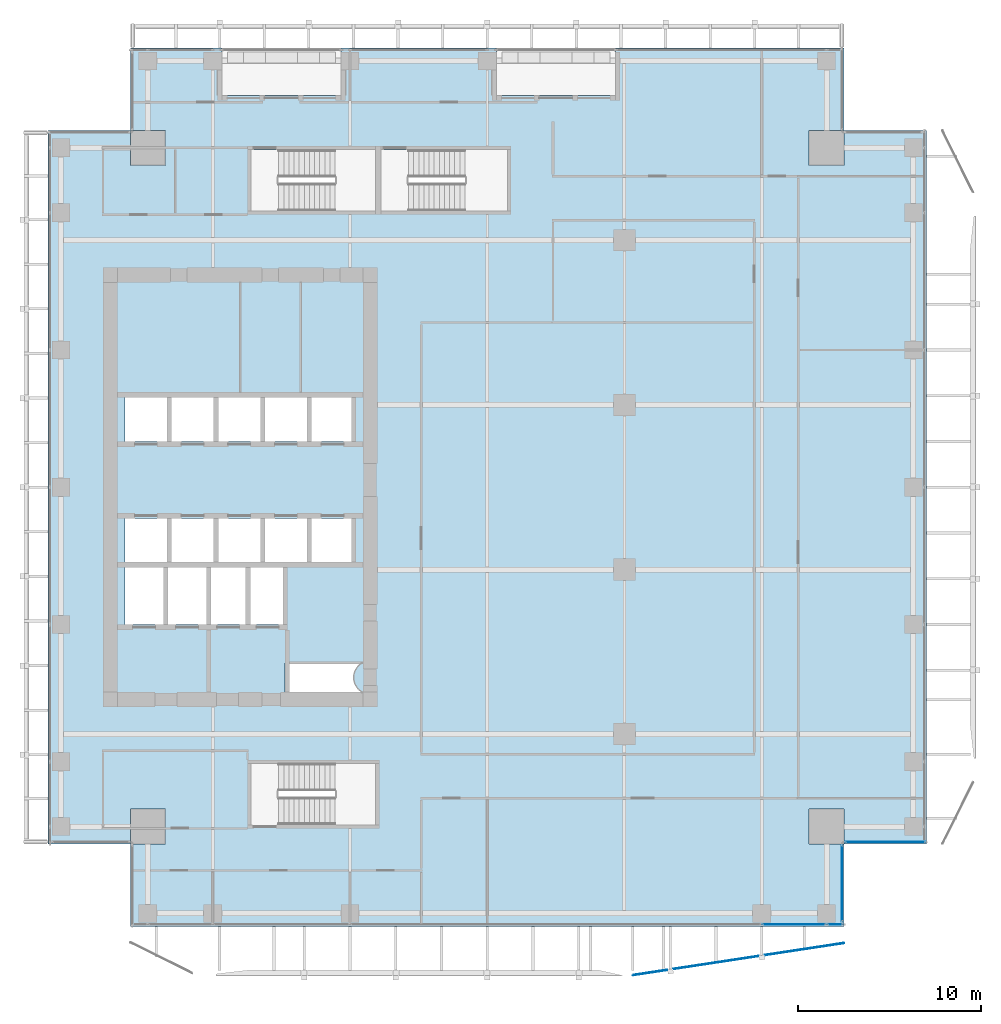
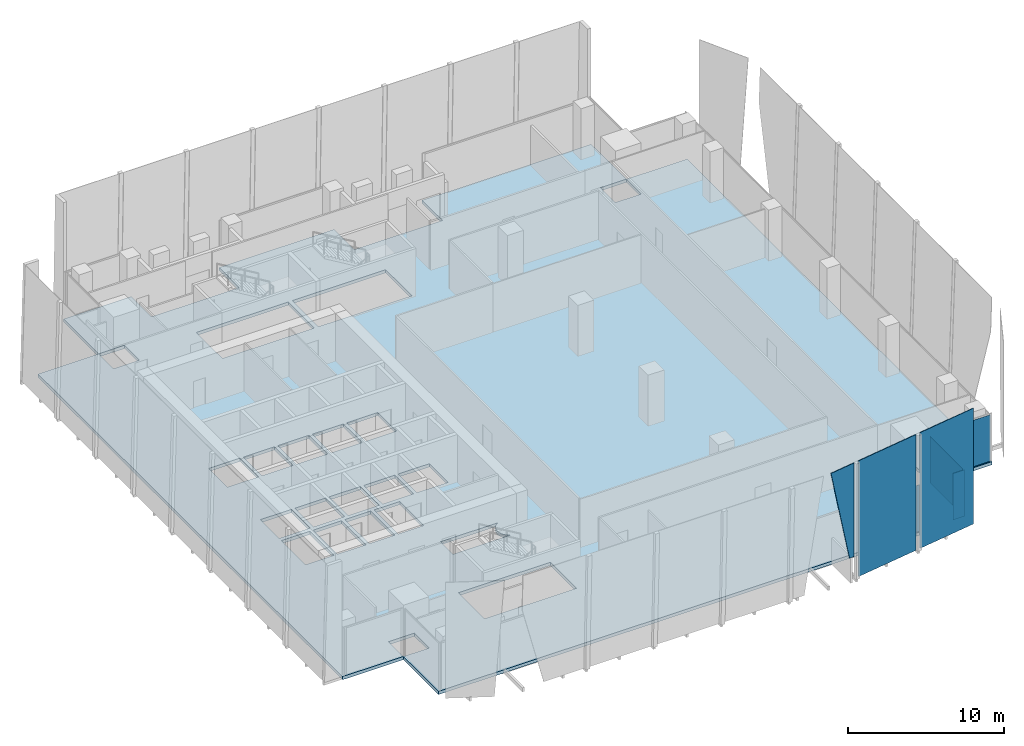
# One storey, part 24 of 35: 7 plates, 1 slab, 3 elements without a shape of their own.
"""IFC4 building model written with IfcOpenShell, lengths in metres."""

from ifc_helpers import new_model, si_unit, direction, frame, origin, origin_2d, place, context, subcontext, project, spatial, polyline, rectangle, outline, extrude, source, transform, mapped, material, layer, layer_set, type_object, element, aggregate, save


model = new_model("IFC4")

# Units and contexts
model_context = context("Model", 3, precision=1e-05, world=origin(), true_north=direction((0.0, 1.0)))
body_context = subcontext(model_context, "Body", "Model", "MODEL_VIEW")
ifc_project = project(units=[si_unit("LENGTHUNIT", "METRE"), si_unit("AREAUNIT", "SQUARE_METRE"), si_unit("VOLUMEUNIT", "CUBIC_METRE"), si_unit("PLANEANGLEUNIT", "RADIAN"), si_unit("MASSUNIT", "GRAM", prefix="KILO")], contexts=[model_context])

# Site, building, storey
site_placement = place(None, origin())
site = spatial("IfcSite", under=ifc_project, at=site_placement, CompositionType="ELEMENT")
building_placement = place(site_placement, origin())
building = spatial("IfcBuilding", under=site, at=building_placement, Name="Khomas Fold Tower", CompositionType="ELEMENT")
storey_placement = place(building_placement, frame((0.0, 0.0, 212.699951171875)))
storey = spatial("IfcBuildingStorey", under=building, at=storey_placement, Name="L47", CompositionType="ELEMENT", Elevation=212.699951171875)

# Plates
ifc_material_1 = material(Name="Clear laminated glass", Category="glass")
ifc_layer_1 = layer(ifc_material_1, 0.0400390625)
ifc_layer_set_1 = layer_set([ifc_layer_1], Name="Clear laminated glass")
plate_type_1 = type_object("IfcPlateType", Name="SK-Clear laminated glass leaf", PredefinedType="SHEET", material=ifc_layer_set_1)
plate_1_placement = place(storey_placement, frame((34.955078125, 0.34521484375, 9.050048828125), z_axis=(-0.150200018528, 0.988655629821, 7.524086e-06), x_axis=(0.988655629849, 0.150200018532, -2.18e-10)))
element("IfcPlate", 1, at=plate_1_placement, inside=storey, type_object=plate_type_1, Name="OUTER SKIN glass L47 SG104-11", PredefinedType="SHEET", context=body_context, shape_type="SweptSolid", body=[
    extrude(outline(polyline([(0.0, 0.0), (1.8965231100758104, 0.0), (1.8965231116665568, 7.300048827918366), (1.5206856915220903, 7.300048828413534), (0.0, 0.0)])), origin(), (0.0, 0.0, -1.0), 0.0400390625),
])
plate_2_placement = place(storey_placement, frame((37.169921875, 0.681884765625, 0.0), z_axis=(-0.15025491324, 0.988647288494, 0.0), x_axis=(0.0, 0.0, 1.0)))
element("IfcPlate", 2, at=plate_2_placement, inside=storey, type_object=plate_type_1, Name="OUTER SKIN glass L47 SG105-13", PredefinedType="SHEET", context=body_context, shape_type="SweptSolid", body=[
    extrude(outline(polyline([(0.0, 0.0), (9.050048828125, 0.0), (9.050048828125, 4.713669176291378), (0.0, 4.713669176291378), (0.0, 0.0)])), origin(), (0.0, 0.0, -1.0), 0.0400390625),
])
plate_3_placement = place(storey_placement, frame((42.169921875, 1.44189453125, 0.0), z_axis=(-0.150280921969, 0.98864333533, 0.0), x_axis=(0.0, 0.0, 1.0)))
element("IfcPlate", 3, at=plate_3_placement, inside=storey, type_object=plate_type_1, Name="OUTER SKIN glass L47 SG106-15", PredefinedType="SHEET", context=body_context, shape_type="SweptSolid", body=[
    extrude(outline(polyline([(0.0, 0.0), (9.050048828125, 0.0), (9.050048828125, 4.3798182522067375), (0.0, 4.3798182522067375), (0.0, 0.0)])), origin(), (0.0, 0.0, -1.0), 0.0400390625),
])

# Slab
ifc_material_2 = material(Name="Concrete C40/50", Category="concrete")
ifc_layer_2 = layer(ifc_material_2, 0.25)
ifc_layer_set_2 = layer_set([ifc_layer_2], Name="Concrete C40/50")
slab_type = type_object("IfcSlabType", Name="RC floor slab 250", PredefinedType="FLOOR", material=ifc_layer_set_2)
shared_shape_1 = source(origin(), body_context, "Body", "SweptSolid", [
    extrude(outline(polyline([(3.0, 7.5), (7.4951171875, 7.5), (7.4951171875, 9.405029296875), (9.405029296875, 9.405029296875), (9.405029296875, 7.4951171875), (7.5, 7.4951171875), (7.5, 3.0), (46.5, 3.0), (46.5, 7.4951171875), (44.594970703125, 7.4951171875), (44.594970703125, 9.405029296875), (46.5048828125, 9.405029296875), (46.5048828125, 7.5), (51.0, 7.5), (51.0, 46.5), (46.5048828125, 46.5), (46.5048828125, 44.594970703125), (44.594970703125, 44.594970703125), (44.594970703125, 46.5048828125), (46.5, 46.5048828125), (46.5, 51.0), (34.0, 51.0), (34.0, 48.39990234375), (27.5, 48.39990234375), (27.5, 51.0), (19.0, 51.0), (19.0, 48.39990234375), (12.5, 48.39990234375), (12.5, 51.0), (7.5, 51.0), (7.5, 46.5048828125), (9.405029296875, 46.5048828125), (9.405029296875, 44.594970703125), (7.4951171875, 44.594970703125), (7.4951171875, 46.5), (3.0, 46.5), (3.0, 7.5)]), holes=[polyline([(7.199951171875, 19.5), (7.199951171875, 22.60009765625), (9.300048828125, 22.60009765625), (9.300048828125, 19.5), (7.199951171875, 19.5)]), polyline([(7.199951171875, 22.89990234375), (7.199951171875, 25.300048828125), (9.5, 25.300048828125), (9.5, 22.89990234375), (7.199951171875, 22.89990234375)]), polyline([(7.199951171875, 29.5), (7.199951171875, 31.89990234375), (9.5, 31.89990234375), (9.5, 29.5), (7.199951171875, 29.5)]), polyline([(9.550048828125, 19.5), (9.550048828125, 22.60009765625), (11.64990234375, 22.60009765625), (11.64990234375, 19.5), (9.550048828125, 19.5)]), polyline([(9.75, 22.89990234375), (9.75, 25.300048828125), (12.050048828125, 25.300048828125), (12.050048828125, 22.89990234375), (9.75, 22.89990234375)]), polyline([(9.75, 29.5), (9.75, 31.89990234375), (12.050048828125, 31.89990234375), (12.050048828125, 29.5), (9.75, 29.5)]), polyline([(11.89990234375, 19.5), (11.89990234375, 22.60009765625), (13.800048828125, 22.60009765625), (13.800048828125, 19.5), (11.89990234375, 19.5)]), polyline([(12.300048828125, 22.89990234375), (12.300048828125, 25.300048828125), (14.60009765625, 25.300048828125), (14.60009765625, 22.89990234375), (12.300048828125, 22.89990234375)]), polyline([(12.300048828125, 29.5), (12.300048828125, 31.89990234375), (14.60009765625, 31.89990234375), (14.60009765625, 29.5), (12.300048828125, 29.5)]), polyline([(14.050048828125, 19.5), (14.050048828125, 22.60009765625), (15.949951171875, 22.60009765625), (15.949951171875, 19.5), (14.050048828125, 19.5)]), polyline([(14.10009765625, 8.550048828125), (14.10009765625, 11.89990234375), (20.89990234375, 11.89990234375), (20.89990234375, 8.550048828125), (14.10009765625, 8.550048828125)]), polyline([(14.10009765625, 42.10009765625), (14.10009765625, 45.449951171875), (20.89990234375, 45.449951171875), (20.89990234375, 42.10009765625), (14.10009765625, 42.10009765625)]), polyline([(14.85009765625, 22.89990234375), (14.85009765625, 25.300048828125), (17.14990234375, 25.300048828125), (17.14990234375, 22.89990234375), (14.85009765625, 22.89990234375)]), polyline([(14.85009765625, 29.5), (14.85009765625, 31.89990234375), (17.14990234375, 31.89990234375), (17.14990234375, 29.5), (14.85009765625, 29.5)]), polyline([(15.949951171875, 15.800048828125), (15.949951171875, 17.39990234375), (20.18896484375, 17.39990234375), (20.17578125, 17.393798828125), (20.10009765625, 17.348388671875), (20.029052734375, 17.295654296875), (19.963623046875, 17.236328125), (19.904296875, 17.1708984375), (19.851806640625, 17.10009765625), (19.806396484375, 17.0244140625), (19.7685546875, 16.9443359375), (19.73876953125, 16.861328125), (19.71728515625, 16.775634765625), (19.704345703125, 16.688232421875), (19.699951171875, 16.60009765625), (19.704345703125, 16.51171875), (19.71728515625, 16.42431640625), (19.73876953125, 16.338623046875), (19.7685546875, 16.255615234375), (19.806396484375, 16.17578125), (19.851806640625, 16.10009765625), (19.904296875, 16.029052734375), (19.963623046875, 15.963623046875), (20.029052734375, 15.904296875), (20.10009765625, 15.851806640625), (20.17578125, 15.806396484375), (20.18896484375, 15.800048828125), (15.949951171875, 15.800048828125)]), polyline([(17.39990234375, 22.89990234375), (17.39990234375, 25.300048828125), (19.699951171875, 25.300048828125), (19.699951171875, 22.89990234375), (17.39990234375, 22.89990234375)]), polyline([(17.39990234375, 29.5), (17.39990234375, 31.89990234375), (19.699951171875, 31.89990234375), (19.699951171875, 29.5), (17.39990234375, 29.5)]), polyline([(21.199951171875, 42.10009765625), (21.199951171875, 45.449951171875), (28.10009765625, 45.449951171875), (28.10009765625, 42.10009765625), (21.199951171875, 42.10009765625)])]), origin(), (0.0, 0.0, 1.0), 0.25),
])
slab_placement = place(storey_placement, frame((0.0, 0.0, -0.25)))
element("IfcSlab", 4, at=slab_placement, inside=storey, type_object=slab_type, Name="S-L47", PredefinedType="FLOOR", context=body_context, shape_type="MappedRepresentation", body=[
    mapped(shared_shape_1, transform((0.0, 0.0, 0.0))),
])

# Curtain wall, plate
ifc_material_3 = material(Name="Aluminium framed double glazing", Category="aluminium")
curtain_wall_type = type_object("IfcCurtainWallType", Name="SK-Unitised clear-glass wall, office floors CW2", PredefinedType="NOTDEFINED", material=ifc_material_3)
curtain_wall_1_placement = place(storey_placement, origin())
curtain_wall_1 = element("IfcCurtainWall", 5, at=curtain_wall_1_placement, inside=storey, type_object=curtain_wall_type, Name="CW2 corner return L47 02", PredefinedType="NOTDEFINED")
ifc_material_4 = material(Name="Clear double glazed unit")
ifc_layer_3 = layer(ifc_material_4, 0.030029296875)
ifc_layer_set_3 = layer_set([ifc_layer_3], Name="Clear double glazed unit")
plate_type_2 = type_object("IfcPlateType", Name="SK-Unitised clear-glass wall, office floors glass panel CW2-P", PredefinedType="CURTAIN_PANEL", material=ifc_layer_set_3)
shared_shape_2 = source(origin(), body_context, "Body", "SweptSolid", [
    extrude(rectangle(XDim=4.3798828125, YDim=0.030029296875, at=origin_2d()), origin(), (0.0, 0.0, 1.0), 3.639892578125),
])
plate_4_placement = place(storey_placement, frame((48.75, 7.60009765625, 0.0), z_axis=(0.0, 0.0, 1.0), x_axis=(1.0, 0.0, 0.0)))
plate_4 = element("IfcPlate", 6, at=plate_4_placement, type_object=plate_type_2, Name="CW2 glass panel 1", PredefinedType="CURTAIN_PANEL", context=body_context, shape_type="MappedRepresentation", body=[
    mapped(shared_shape_2, transform((0.0, 0.0, 0.0))),
])
aggregate(curtain_wall_1, [plate_4])

curtain_wall_2_placement = place(storey_placement, origin())
curtain_wall_2 = element("IfcCurtainWall", 7, at=curtain_wall_2_placement, inside=storey, type_object=curtain_wall_type, Name="CW2 run L47 00-0", PredefinedType="NOTDEFINED")
shared_shape_3 = source(origin(), body_context, "Body", "SweptSolid", [
    extrude(rectangle(XDim=3.489990234375, YDim=0.030029296875, at=origin_2d()), origin(), (0.0, 0.0, 1.0), 3.639892578125),
])
plate_5_placement = place(storey_placement, frame((43.77490234375, 3.10009765625, 0.0), z_axis=(0.0, 0.0, 1.0), x_axis=(1.0, 0.0, 0.0)))
plate_5 = element("IfcPlate", 8, at=plate_5_placement, type_object=plate_type_2, Name="CW2 glass panel 5", PredefinedType="CURTAIN_PANEL", context=body_context, shape_type="MappedRepresentation", body=[
    mapped(shared_shape_3, transform((0.0, 0.0, 0.0))),
])

curtain_wall_3_placement = place(storey_placement, origin())
curtain_wall_3 = element("IfcCurtainWall", 9, at=curtain_wall_3_placement, inside=storey, type_object=curtain_wall_type, Name="CW2 corner return L47 01", PredefinedType="NOTDEFINED")
shared_shape_4 = source(origin(), body_context, "Body", "SweptSolid", [
    extrude(rectangle(XDim=4.179931640625, YDim=0.030029296875, at=origin_2d()), origin(), (0.0, 0.0, 1.0), 3.639892578125),
])
plate_6_placement = place(storey_placement, frame((46.39990234375, 5.35009765625, 0.0), z_axis=(0.0, 0.0, 1.0), x_axis=(0.0, 1.0, 0.0)))
plate_6 = element("IfcPlate", 10, at=plate_6_placement, type_object=plate_type_2, Name="CW2 glass panel 1", PredefinedType="CURTAIN_PANEL", context=body_context, shape_type="MappedRepresentation", body=[
    mapped(shared_shape_4, transform((0.0, 0.0, 0.0))),
])
aggregate(curtain_wall_3, [plate_6])

# Plate
shared_shape_5 = source(origin(), body_context, "Body", "SweptSolid", [
    extrude(rectangle(XDim=0.860107421875, YDim=0.030029296875, at=origin_2d()), origin(), (0.0, 0.0, 1.0), 3.639892578125),
])
plate_7_placement = place(storey_placement, frame((46.010009765625, 3.10009765625, 0.0), z_axis=(0.0, 0.0, 1.0), x_axis=(1.0, 0.0, 0.0)))
plate_7 = element("IfcPlate", 11, at=plate_7_placement, type_object=plate_type_2, Name="CW2 glass panel 6", PredefinedType="CURTAIN_PANEL", context=body_context, shape_type="MappedRepresentation", body=[
    mapped(shared_shape_5, transform((0.0, 0.0, 0.0))),
])

aggregate(curtain_wall_2, [plate_5, plate_7])

save(model, "model.ifc")
